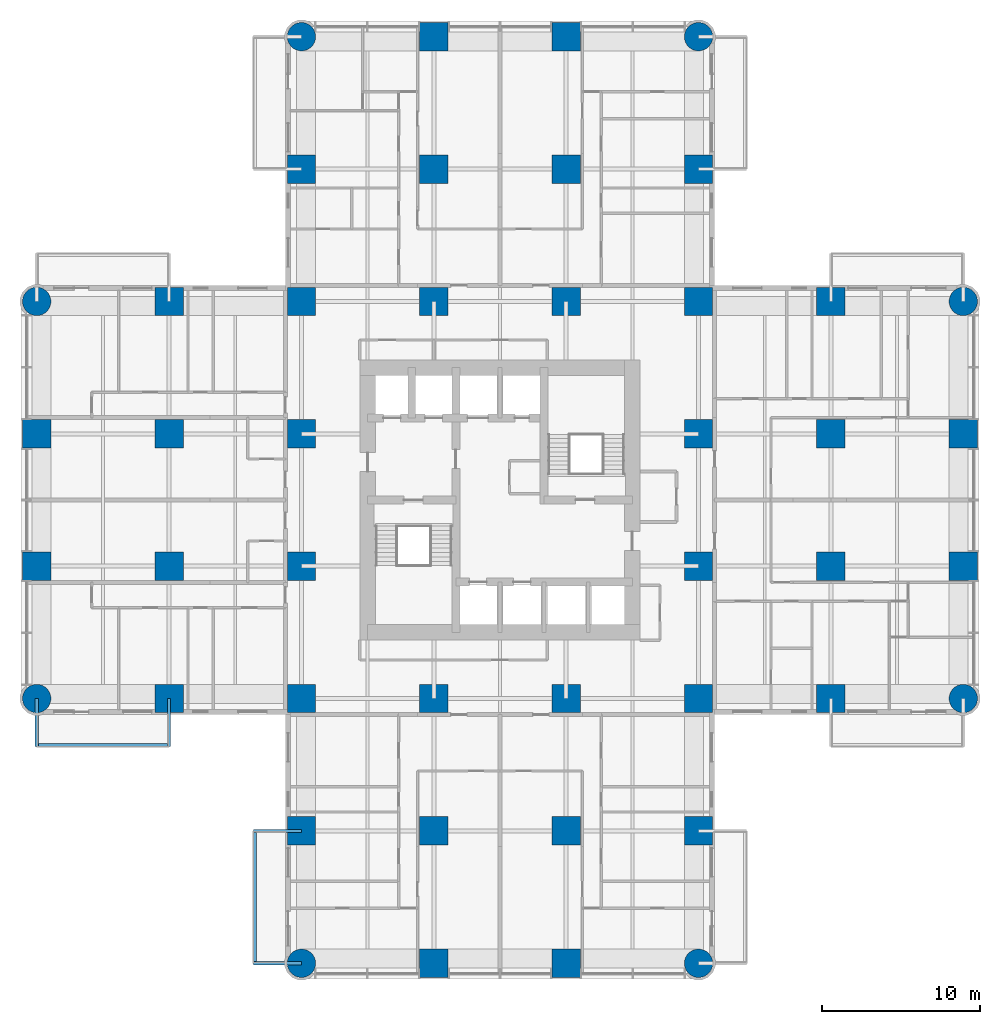
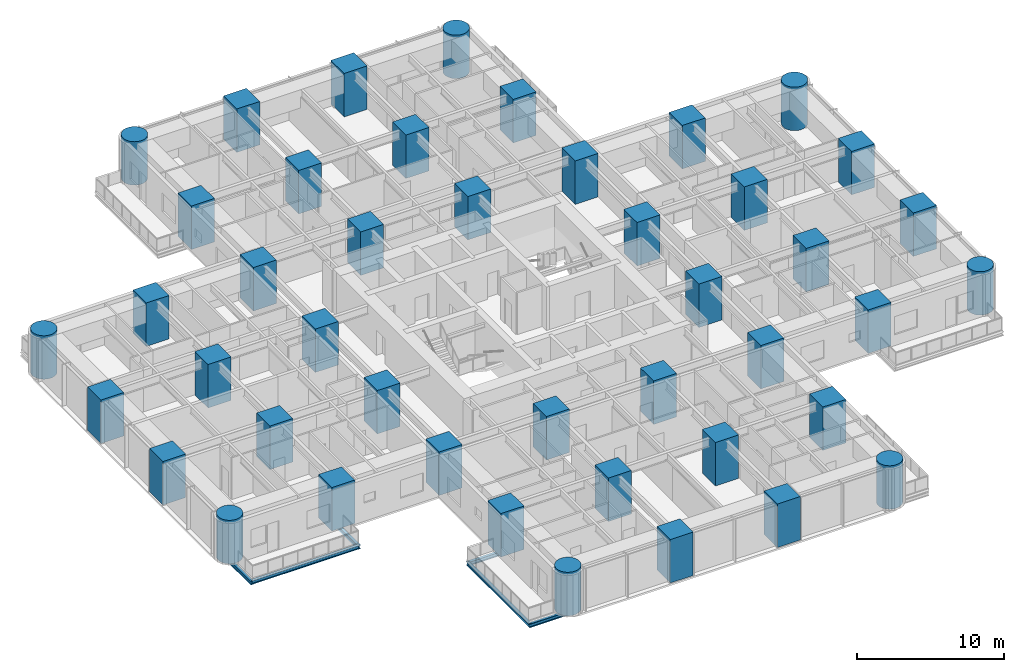
# One storey, part 1 of 17: 44 columns, 6 beams.
"""IFC4 building model written with IfcOpenShell, lengths in metres."""

from ifc_helpers import new_model, si_unit, direction, frame, origin, origin_2d, place, context, subcontext, project, spatial, rectangle, circle, i_section, extrude, material, material_profile, profile_set, type_object, element, save


model = new_model("IFC4")

# Units and contexts
model_context = context("Model", 3, precision=1e-05, world=origin(), true_north=direction((0.0, 1.0)))
body_context = subcontext(model_context, "Body", "Model", "MODEL_VIEW")
ifc_project = project(units=[si_unit("LENGTHUNIT", "METRE"), si_unit("AREAUNIT", "SQUARE_METRE"), si_unit("VOLUMEUNIT", "CUBIC_METRE"), si_unit("PLANEANGLEUNIT", "RADIAN"), si_unit("MASSUNIT", "GRAM", prefix="KILO")], contexts=[model_context])

# Site, building, storey
site_placement = place(None, origin())
site = spatial("IfcSite", under=ifc_project, at=site_placement, CompositionType="ELEMENT")
building_placement = place(site_placement, origin())
building = spatial("IfcBuilding", under=site, at=building_placement, Name="Torre Alcanfor", CompositionType="ELEMENT")
storey_placement = place(building_placement, frame((0.0, 0.0, 77.699951171875)))
storey = spatial("IfcBuildingStorey", under=building, at=storey_placement, Name="L19", CompositionType="ELEMENT", Elevation=77.699951171875)

# Columns
ifc_material_1 = material(Name="Concrete f'c 70 MPa", Category="concrete")
ifc_material_profile_1 = material_profile(ifc_material_1, rectangle(XDim=1.800048828125, YDim=1.800048828125, at=origin_2d()), Name="1800x1800")
ifc_profile_set_1 = profile_set([ifc_material_profile_1], Name="Concrete f'c 70 MPa")
column_type_1 = type_object("IfcColumnType", Name="RC column 1800x1800 f'c70", PredefinedType="COLUMN", material=ifc_profile_set_1)
for number, where, z_axis, x_axis, name in (
    (1, (0.0, 25.199951171875, 0.0), (0.0, 0.0, 1.0), (1.0, 0.0, 0.0), "Column 1/F L19"),
    (2, (0.0, 33.60009765625, 0.0), (0.0, 0.0, 1.0), (1.0, 0.0, 0.0), "Column 1/G L19"),
    (3, (8.39990234375, 16.800048828125, 0.0), (0.0, 0.0, 1.0), (1.0, 0.0, 0.0), "Column 2/E L19"),
    (4, (8.39990234375, 25.199951171875, 0.0), (0.0, 0.0, 1.0), (1.0, 0.0, 0.0), "Column 2/F L19"),
    (5, (8.39990234375, 33.60009765625, 0.0), (0.0, 0.0, 1.0), (1.0, 0.0, 0.0), "Column 2/G L19"),
    (6, (8.39990234375, 42.0, 0.0), (0.0, 0.0, 1.0), (1.0, 0.0, 0.0), "Column 2/H L19"),
    (7, (16.800048828125, 8.39990234375, 0.0), (0.0, 0.0, 1.0), (1.0, 0.0, 0.0), "Column 3/D L19"),
    (8, (16.800048828125, 16.800048828125, 0.0), (0.0, 0.0, 1.0), (1.0, 0.0, 0.0), "Column 3/E L19"),
    (9, (16.800048828125, 25.199951171875, 0.0), (0.0, 0.0, 1.0), (1.0, 0.0, 0.0), "Column 3/F L19"),
    (10, (16.800048828125, 33.60009765625, 0.0), (0.0, 0.0, 1.0), (1.0, 0.0, 0.0), "Column 3/G L19"),
    (11, (16.800048828125, 42.0, 0.0), (0.0, 0.0, 1.0), (1.0, 0.0, 0.0), "Column 3/H L19"),
    (12, (16.800048828125, 50.39990234375, 0.0), (0.0, 0.0, 1.0), (1.0, 0.0, 0.0), "Column 3/J L19"),
    (13, (25.199951171875, 0.0, 0.0), (0.0, 0.0, 1.0), (1.0, 0.0, 0.0), "Column 4/C L19"),
    (14, (25.199951171875, 8.39990234375, 0.0), (0.0, 0.0, 1.0), (1.0, 0.0, 0.0), "Column 4/D L19"),
    (15, (25.199951171875, 16.800048828125, 0.0), (0.0, 0.0, 1.0), (1.0, 0.0, 0.0), "Column 4/E L19"),
    (16, (25.199951171875, 42.0, 0.0), (0.0, 0.0, 1.0), (1.0, 0.0, 0.0), "Column 4/H L19"),
    (17, (25.199951171875, 50.39990234375, 0.0), (0.0, 0.0, 1.0), (1.0, 0.0, 0.0), "Column 4/J L19"),
    (18, (25.199951171875, 58.800048828125, 0.0), (0.0, 0.0, 1.0), (1.0, 0.0, 0.0), "Column 4/K L19"),
    (19, (33.60009765625, 0.0, 0.0), (0.0, 0.0, 1.0), (1.0, 0.0, 0.0), "Column 5/C L19"),
    (20, (33.60009765625, 8.39990234375, 0.0), (0.0, 0.0, 1.0), (1.0, 0.0, 0.0), "Column 5/D L19"),
    (21, (33.60009765625, 16.800048828125, 0.0), (0.0, 0.0, 1.0), (1.0, 0.0, 0.0), "Column 5/E L19"),
    (22, (33.60009765625, 42.0, 0.0), (0.0, 0.0, 1.0), (1.0, 0.0, 0.0), "Column 5/H L19"),
    (23, (33.60009765625, 50.39990234375, 0.0), (0.0, 0.0, 1.0), (1.0, 0.0, 0.0), "Column 5/J L19"),
    (24, (33.60009765625, 58.800048828125, 0.0), (0.0, 0.0, 1.0), (1.0, 0.0, 0.0), "Column 5/K L19"),
    (25, (42.0, 8.39990234375, 0.0), (0.0, 0.0, 1.0), (1.0, 0.0, 0.0), "Column 6/D L19"),
    (26, (42.0, 16.800048828125, 0.0), (0.0, 0.0, 1.0), (1.0, 0.0, 0.0), "Column 6/E L19"),
    (27, (42.0, 25.199951171875, 0.0), (0.0, 0.0, 1.0), (1.0, 0.0, 0.0), "Column 6/F L19"),
    (28, (42.0, 33.60009765625, 0.0), (0.0, 0.0, 1.0), (1.0, 0.0, 0.0), "Column 6/G L19"),
    (29, (42.0, 42.0, 0.0), (0.0, 0.0, 1.0), (1.0, 0.0, 0.0), "Column 6/H L19"),
    (30, (42.0, 50.39990234375, 0.0), (0.0, 0.0, 1.0), (1.0, 0.0, 0.0), "Column 6/J L19"),
    (31, (50.39990234375, 16.800048828125, 0.0), (0.0, 0.0, 1.0), (1.0, 0.0, 0.0), "Column 7/E L19"),
    (32, (50.39990234375, 25.199951171875, 0.0), (0.0, 0.0, 1.0), (1.0, 0.0, 0.0), "Column 7/F L19"),
    (33, (50.39990234375, 33.60009765625, 0.0), (0.0, 0.0, 1.0), (1.0, 0.0, 0.0), "Column 7/G L19"),
    (34, (50.39990234375, 42.0, 0.0), (0.0, 0.0, 1.0), (1.0, 0.0, 0.0), "Column 7/H L19"),
    (35, (58.800048828125, 25.199951171875, 0.0), (0.0, 0.0, 1.0), (1.0, 0.0, 0.0), "Column 8/F L19"),
    (36, (58.800048828125, 33.60009765625, 0.0), (0.0, 0.0, 1.0), (1.0, 0.0, 0.0), "Column 8/G L19"),
):
    element("IfcColumn", number, at=place(storey_placement, frame(where, z_axis=z_axis, x_axis=x_axis)), inside=storey, type_object=column_type_1, Name=name, PredefinedType="COLUMN", context=body_context, shape_type="SweptSolid", body=[
        extrude(rectangle(XDim=1.800048828125, YDim=1.800048828125, at=origin_2d()), origin(), (0.0, 0.0, 1.0), 3.60009765625),
    ])
ifc_material_2 = material(Name="Concrete f'c 70 MPa", Category="concrete")
ifc_material_profile_2 = material_profile(ifc_material_2, circle(Radius=0.89990234375, at=origin_2d()), Name="D1800")
ifc_profile_set_2 = profile_set([ifc_material_profile_2], Name="Concrete f'c 70 MPa")
column_type_2 = type_object("IfcColumnType", Name="RC column D1800 f'c70", PredefinedType="COLUMN", material=ifc_profile_set_2)
for number, where, z_axis, x_axis, name in (
    (37, (0.0, 16.800048828125, 0.0), (0.0, 0.0, 1.0), (1.0, 0.0, 0.0), "Column 1/E L19"),
    (38, (0.0, 42.0, 0.0), (0.0, 0.0, 1.0), (1.0, 0.0, 0.0), "Column 1/H L19"),
    (39, (16.800048828125, 0.0, 0.0), (0.0, 0.0, 1.0), (1.0, 0.0, 0.0), "Column 3/C L19"),
    (40, (16.800048828125, 58.800048828125, 0.0), (0.0, 0.0, 1.0), (1.0, 0.0, 0.0), "Column 3/K L19"),
    (41, (42.0, 0.0, 0.0), (0.0, 0.0, 1.0), (1.0, 0.0, 0.0), "Column 6/C L19"),
    (42, (42.0, 58.800048828125, 0.0), (0.0, 0.0, 1.0), (1.0, 0.0, 0.0), "Column 6/K L19"),
    (43, (58.800048828125, 16.800048828125, 0.0), (0.0, 0.0, 1.0), (1.0, 0.0, 0.0), "Column 8/E L19"),
    (44, (58.800048828125, 42.0, 0.0), (0.0, 0.0, 1.0), (1.0, 0.0, 0.0), "Column 8/H L19"),
):
    element("IfcColumn", number, at=place(storey_placement, frame(where, z_axis=z_axis, x_axis=x_axis)), inside=storey, type_object=column_type_2, Name=name, PredefinedType="COLUMN", context=body_context, shape_type="SweptSolid", body=[
        extrude(circle(Radius=0.89990234375, at=origin_2d()), origin(), (0.0, 0.0, 1.0), 3.60009765625),
    ])

# Beams
ifc_material_3 = material(Name="Steel ASTM A992 Grade 50", Category="steel")
ifc_material_profile_3 = material_profile(ifc_material_3, i_section(OverallWidth=0.205322265625, OverallDepth=0.309814453125, WebThickness=0.00927734375, FlangeThickness=0.016357421875, at=origin_2d()), Name="W12x50")
ifc_profile_set_3 = profile_set([ifc_material_profile_3], Name="Steel ASTM A992 Grade 50")
beam_type_1 = type_object("IfcBeamType", Name="Balcony cantilever beam W12x50", PredefinedType="BEAM", material=ifc_profile_set_3)
for number, where, z_axis, x_axis, name in (
    (45, (16.800048828125, 8.39990234375, -0.35498046875), (-1.0, 0.0, 0.0), (0.0, -1.0, 0.0), "Balcony cantilever beam L19-S2 1"),
    (46, (16.800048828125, 0.0, -0.35498046875), (-1.0, 0.0, 0.0), (0.0, -1.0, 0.0), "Balcony cantilever beam L19-S2 2"),
    (47, (8.39990234375, 16.800048828125, -0.35498046875), (0.0, -1.0, 0.0), (1.0, 0.0, 0.0), "Balcony cantilever beam L19-W1 1"),
    (48, (0.0, 16.800048828125, -0.35498046875), (0.0, -1.0, 0.0), (1.0, 0.0, 0.0), "Balcony cantilever beam L19-W1 2"),
):
    element("IfcBeam", number, at=place(storey_placement, frame(where, z_axis=z_axis, x_axis=x_axis)), inside=storey, type_object=beam_type_1, Name=name, PredefinedType="BEAM", context=body_context, shape_type="SweptSolid", body=[
        extrude(i_section(OverallWidth=0.205322265625, OverallDepth=0.309814453125, WebThickness=0.00927734375, FlangeThickness=0.016357421875, at=origin_2d()), origin(), (0.0, 0.0, 1.0), 3.050048828125),
    ])
ifc_material_4 = material(Name="Steel ASTM A992 Grade 50", Category="steel")
ifc_material_profile_4 = material_profile(ifc_material_4, i_section(OverallWidth=0.203369140625, OverallDepth=0.30224609375, WebThickness=0.007568359375, FlangeThickness=0.01318359375, at=origin_2d()), Name="W12x40")
ifc_profile_set_4 = profile_set([ifc_material_profile_4], Name="Steel ASTM A992 Grade 50")
beam_type_2 = type_object("IfcBeamType", Name="Balcony edge trimmer W12x40", PredefinedType="BEAM", material=ifc_profile_set_4)
for number, where, z_axis, x_axis, name in (
    (49, (13.851806640625, 8.39990234375, -0.35107421875), (0.0, -1.0, 0.0), (1.0, 0.0, 0.0), "Balcony edge trimmer L19-S2"),
    (50, (8.39990234375, 13.851806640625, -0.35107421875), (-1.0, 0.0, 0.0), (0.0, -1.0, 0.0), "Balcony edge trimmer L19-W1"),
):
    element("IfcBeam", number, at=place(storey_placement, frame(where, z_axis=z_axis, x_axis=x_axis)), inside=storey, type_object=beam_type_2, Name=name, PredefinedType="BEAM", context=body_context, shape_type="SweptSolid", body=[
        extrude(i_section(OverallWidth=0.203369140625, OverallDepth=0.30224609375, WebThickness=0.007568359375, FlangeThickness=0.01318359375, at=origin_2d()), origin(), (0.0, 0.0, 1.0), 8.39990234375),
    ])

save(model, "model.ifc")
